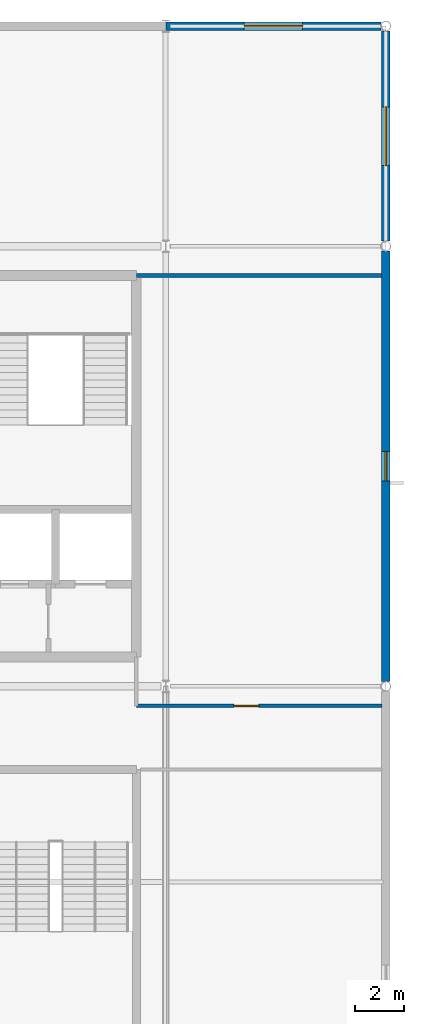
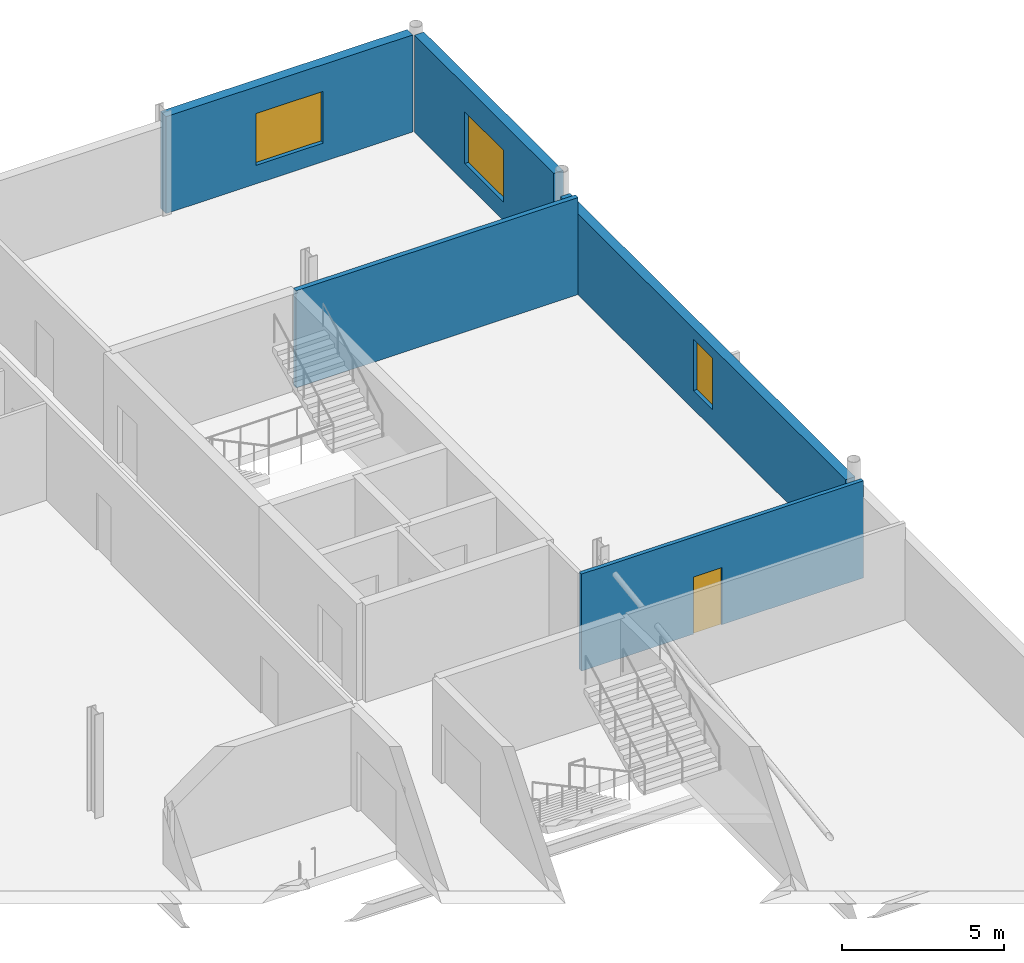
# One storey, part 63 of 96: 5 walls, 3 windows, 1 door, 4 openings.
"""IFC4 building model written with IfcOpenShell, lengths in metres."""

import ifcopenshell
import ifcopenshell.guid

model = None  # the IFC model being written
_history = None  # IfcOwnerHistory: only IFC2X3 demands one
_inside = {}  # id of a spatial element -> (the spatial element, [elements in it])
_under = {}  # id of a project, library or spatial element -> (it, [spatial elements below it])
_declared = {}  # id of a project -> (the project, [libraries it declares])
_typed = {}  # id of a type object -> (the type object, [elements of that type])
_made_of = {}  # id of a material, layer set ... -> (it, [elements and type objects made of it])


def new_model(schema):
    """Start an empty IFC model of exactly this schema.

    Asked for "IFC4X3", IfcOpenShell would pick the latest addendum, in which some entities
    have other attributes; the version numbers below select the first issue.
    IFC2X3 requires an IfcOwnerHistory on every rooted entity: one is made here for all.
    """
    global model, _history
    if schema == "IFC4X3":
        model = ifcopenshell.file(schema_version=(4, 3, 0, 0))
    else:
        model = ifcopenshell.file(schema=schema)
    _inside.clear()
    _under.clear()
    _declared.clear()
    _typed.clear()
    _made_of.clear()
    _history = None
    if model.schema == "IFC2X3":
        org = make("IfcOrganization", Name="unknown")
        user = make(
            "IfcPersonAndOrganization",
            ThePerson=make("IfcPerson", FamilyName="unknown"),
            TheOrganization=org,
        )
        app = make(
            "IfcApplication",
            ApplicationDeveloper=org,
            Version="unknown",
            ApplicationFullName="unknown",
            ApplicationIdentifier="unknown",
        )
        _history = make(
            "IfcOwnerHistory",
            OwningUser=user,
            OwningApplication=app,
            ChangeAction="ADDED",
            CreationDate=0,
        )
    return model


def make(cls, **values):
    """One entity of the class cls with the attributes given. An attribute that is None is left unset."""
    return model.create_entity(
        cls, **{name: value for name, value in values.items() if value is not None}
    )


def rooted(cls, **values):
    """An entity with a GlobalId (a new one), such as an element, a storey or a relation."""
    return make(cls, GlobalId=ifcopenshell.guid.new(), OwnerHistory=_history, **values)


def si_unit(unit_type, name, prefix=None):
    """IfcSIUnit, for example si_unit("LENGTHUNIT", "METRE", prefix="MILLI")."""
    return make("IfcSIUnit", UnitType=unit_type, Prefix=prefix, Name=name)


def assignment(units):
    """IfcUnitAssignment: the units of a project."""
    return None if units is None else make("IfcUnitAssignment", Units=units)


def point(xyz):
    """IfcCartesianPoint."""
    return None if xyz is None else make("IfcCartesianPoint", Coordinates=xyz)


def direction(xyz):
    """IfcDirection."""
    return None if xyz is None else make("IfcDirection", DirectionRatios=xyz)


def frame(location, z_axis=None, x_axis=None):
    """IfcAxis2Placement3D, a coordinate frame: its origin and axes. An axis left out is left unset."""
    return make(
        "IfcAxis2Placement3D",
        Location=point(location),
        Axis=direction(z_axis),
        RefDirection=direction(x_axis),
    )


def frame_2d(location, x_axis=None):
    """IfcAxis2Placement2D, a coordinate frame in the plane: its origin and x axis."""
    return make(
        "IfcAxis2Placement2D", Location=point(location), RefDirection=direction(x_axis)
    )


def origin():
    """The frame at (0, 0, 0) with its axes left unset."""
    return frame((0.0, 0.0, 0.0))


def place(relative_to, where):
    """IfcLocalPlacement: puts the frame where relative to a parent placement (None: the world)."""
    return make(
        "IfcLocalPlacement", PlacementRelTo=relative_to, RelativePlacement=where
    )


def context(
    kind, dimensions, precision=None, world=None, true_north=None, identifier=None
):
    """IfcGeometricRepresentationContext, for example the 3D "Model" context."""
    return make(
        "IfcGeometricRepresentationContext",
        ContextIdentifier=identifier,
        ContextType=kind,
        CoordinateSpaceDimension=dimensions,
        Precision=precision,
        WorldCoordinateSystem=world,
        TrueNorth=true_north,
    )


def subcontext(parent, identifier, kind, view, scale=None):
    """IfcGeometricRepresentationSubContext, for example "Body" below "Model"."""
    return make(
        "IfcGeometricRepresentationSubContext",
        ContextIdentifier=identifier,
        ContextType=kind,
        ParentContext=parent,
        TargetScale=scale,
        TargetView=view,
    )


def project(units=None, contexts=None):
    """IfcProject with its units and contexts."""
    return rooted(
        "IfcProject",
        Name="project",
        RepresentationContexts=contexts,
        UnitsInContext=assignment(units),
    )


def spatial(cls, under=None, at=None, **own):
    """A site, building, storey or space (cls), placed at a placement, below another one or the project."""
    s = rooted(cls, ObjectPlacement=at, **own)
    if under is not None:
        _under.setdefault(under.id(), (under, []))[1].append(s)
    return s


def profile(cls, at=None, kind="AREA", **sizes):
    """A parametric profile (cls). Its sizes go by their IFC names, for example OverallWidth=200.0."""
    return make(cls, ProfileType=kind, Position=at, **sizes)


def rectangle(**sizes):
    """IfcRectangleProfileDef."""
    return profile("IfcRectangleProfileDef", **sizes)


def extrude(swept, where, along, depth):
    """IfcExtrudedAreaSolid: the profile swept, set in the frame where, extruded along a direction by depth."""
    return make(
        "IfcExtrudedAreaSolid",
        SweptArea=swept,
        Position=where,
        ExtrudedDirection=direction(along),
        Depth=depth,
    )


def shape(context_of_items, identifier, shape_type, items):
    """IfcShapeRepresentation: the items that make up one representation, for example the "Body"."""
    return make(
        "IfcShapeRepresentation",
        ContextOfItems=context_of_items,
        RepresentationIdentifier=identifier,
        RepresentationType=shape_type,
        Items=items,
    )


def material(Name=None, Category=None):
    """IfcMaterial."""
    return make("IfcMaterial", Name=Name, Category=Category)


def layer(
    of_material, thickness, ventilated=None, Name=None, Category=None, Priority=None
):
    """IfcMaterialLayer: one layer of a wall or slab, of a material (None: an air gap)."""
    return make(
        "IfcMaterialLayer",
        Material=of_material,
        LayerThickness=thickness,
        IsVentilated=ventilated,
        Name=Name,
        Category=Category,
        Priority=Priority,
    )


def layer_set(layers, Name=None):
    """IfcMaterialLayerSet."""
    return make("IfcMaterialLayerSet", MaterialLayers=layers, LayerSetName=Name)


def made_of(thing, what):
    """Note that an element or type object is made of a material, layer set ...; save() writes the relation."""
    if what is not None:
        _made_of.setdefault(what.id(), (what, []))[1].append(thing)
    return thing


def type_object(cls, material=None, **own):
    """A type object (cls), such as IfcWallType, which elements share."""
    return made_of(rooted(cls, **own), material)


def element(
    cls,
    number,
    at=None,
    inside=None,
    cuts=None,
    type_object=None,
    material=None,
    context=None,
    identifier="Body",
    shape_type=None,
    held_by="IfcProductDefinitionShape",
    body=None,
    shapes=None,
    **own,
):
    """One element of the class cls, such as IfcWall. Its Tag is "e" and its number.

    at: its placement. inside: the storey or other place that contains it. cuts: it is an
    opening in that element (IfcRelVoidsElement). A single representation is given by context,
    identifier, shape_type and body (its items); several are given by shapes. held_by: the class
    of the entity that holds the representations. save() writes the other relations.
    """
    e = rooted(cls, Tag="e%d" % number, ObjectPlacement=at, **own)
    if body is not None:
        shapes = [shape(context, identifier, shape_type, body)]
    if shapes is not None:
        e.Representation = make(held_by, Representations=shapes)
    if inside is not None:
        _inside.setdefault(inside.id(), (inside, []))[1].append(e)
    if cuts is not None:
        rooted(
            "IfcRelVoidsElement", RelatingBuildingElement=cuts, RelatedOpeningElement=e
        )
    if type_object is not None:
        _typed.setdefault(type_object.id(), (type_object, []))[1].append(e)
    return made_of(e, material)


def fill(opening, filler):
    """IfcRelFillsElement: the door or window that sits in an opening."""
    return rooted(
        "IfcRelFillsElement",
        RelatingOpeningElement=opening,
        RelatedBuildingElement=filler,
    )


def aggregate(whole, parts):
    """IfcRelAggregates: a whole, such as a stair, and the parts it consists of."""
    return rooted("IfcRelAggregates", RelatingObject=whole, RelatedObjects=parts)


def save(model, path):
    """Write the relations noted so far, then the file.

    IfcRelAggregates (storeys below a building ...), IfcRelContainedInSpatialStructure (elements
    in a storey), IfcRelDefinesByType, IfcRelAssociatesMaterial and IfcRelDeclares: one each for
    every whole, place, type object, material and project.
    """
    for whole, parts in _under.values():
        aggregate(whole, parts)
    for where, things in _inside.values():
        rooted(
            "IfcRelContainedInSpatialStructure",
            RelatedElements=things,
            RelatingStructure=where,
        )
    for kind, things in _typed.values():
        rooted("IfcRelDefinesByType", RelatedObjects=things, RelatingType=kind)
    for what, things in _made_of.values():
        rooted("IfcRelAssociatesMaterial", RelatedObjects=things, RelatingMaterial=what)
    for by, libraries in _declared.values():
        rooted("IfcRelDeclares", RelatingContext=by, RelatedDefinitions=libraries)
    model.write(path)


model = new_model("IFC4")

# Units and contexts
model_context = context("Model", 3, precision=1e-05, world=origin(), true_north=direction((0.0, 1.0)))
body_context = subcontext(model_context, "Body", "Model", "MODEL_VIEW")
ifc_project = project(units=[si_unit("LENGTHUNIT", "METRE"), si_unit("AREAUNIT", "SQUARE_METRE"), si_unit("VOLUMEUNIT", "CUBIC_METRE"), si_unit("PLANEANGLEUNIT", "RADIAN"), si_unit("MASSUNIT", "GRAM", prefix="KILO")], contexts=[model_context])

# Site, building, storey
site_placement = place(None, origin())
site = spatial("IfcSite", under=ifc_project, at=site_placement, CompositionType="ELEMENT")
building_placement = place(site_placement, origin())
building = spatial("IfcBuilding", under=site, at=building_placement, Name="Kisiwana Market Hall", CompositionType="ELEMENT")
storey_placement = place(building_placement, frame((0.0, 0.0, 25.5)))
storey = spatial("IfcBuildingStorey", under=building, at=storey_placement, Name="L05", CompositionType="ELEMENT", Elevation=25.5)

# Wall
ifc_material_1 = material(Name="Masonry blockwork", Category="masonry")
ifc_layer_1 = layer(ifc_material_1, 0.169921875, Name="Protected corridor partition")
ifc_layer_set_1 = layer_set([ifc_layer_1], Name="WL-CORR-170")
wall_type_1 = type_object("IfcWallType", Name="WL-CORR-170", PredefinedType="PARTITIONING", material=ifc_layer_set_1)
wall_1_placement = place(storey_placement, frame((187.800048828125, 100.800048828125, 0.0), z_axis=(0.0, 0.0, 1.0), x_axis=(1.0, 0.0, 0.0)))
element("IfcWall", 1, at=wall_1_placement, inside=storey, type_object=wall_type_1, Name="Interior partition W-1865", PredefinedType="PARTITIONING", context=body_context, shape_type="SweptSolid", body=[
    extrude(rectangle(XDim=10.04248046875, YDim=0.169921875, at=frame_2d((5.021240234375, 0.0))), origin(), (0.0, 0.0, 1.0), 3.655029296875),
])

# Wall, opening, window
ifc_material_2 = material(Name="Concrete C40/50 precast", Category="concrete")
ifc_layer_2 = layer(ifc_material_2, 0.14990234375, Name="Precast architectural concrete spandrel")
ifc_material_3 = material(Name="Mineral wool insulation")
ifc_layer_3 = layer(ifc_material_3, 0.090087890625, Name="Rockwool thermal insulation")
ifc_material_4 = material(Name="Masonry blockwork", Category="masonry")
ifc_layer_4 = layer(ifc_material_4, 0.10009765625, Name="Inner masonry block leaf")
ifc_layer_set_2 = layer_set([ifc_layer_2, ifc_layer_3, ifc_layer_4], Name="WL-EXT-PREC-340")
wall_type_2 = type_object("IfcWallType", Name="WL-EXT-PREC-340", PredefinedType="STANDARD", material=ifc_layer_set_2)
wall_2_placement = place(storey_placement, frame((189.010009765625, 111.0, 0.0), z_axis=(0.0, 0.0, 1.0), x_axis=(1.0, 0.0, 0.0)))
wall_2 = element("IfcWall", 2, at=wall_2_placement, inside=storey, type_object=wall_type_2, Name="Exterior wall W-1811", PredefinedType="STANDARD", context=body_context, shape_type="SweptSolid", body=[
    extrude(rectangle(XDim=8.784912109375, YDim=0.340087890625, at=frame_2d((4.392578125, 0.0))), origin(), (0.0, 0.0, 1.0), 3.655029296875),
])
opening_1_placement = place(wall_2_placement, frame((3.1923828125, 0.0, 0.699951171875)))
opening_1 = element("IfcOpeningElement", 3, at=opening_1_placement, cuts=wall_2, Name="Opening WN-27", PredefinedType="OPENING", context=body_context, shape_type="SweptSolid", body=[
    extrude(rectangle(XDim=2.39990234375, YDim=1.949951171875, at=frame_2d((1.199951171875, 0.97509765625))), frame((0.0, 0.18212890625, 0.0), z_axis=(0.0, -1.0, 0.0), x_axis=(1.0, 0.0, 0.0)), (0.0, 0.0, 1.0), 0.364013671875),
])
ifc_material_5 = material(Name="Double-glazed solar-control low-E IGU", Category="glass")
window_type_1 = type_object("IfcWindowType", Name="WN-OFFA-2400x1950", PartitioningType="SINGLE_PANEL", PredefinedType="WINDOW", material=ifc_material_5)
window_1_placement = place(opening_1_placement, origin())
window_1 = element("IfcWindow", 4, at=window_1_placement, inside=storey, type_object=window_type_1, Name="Exterior window WN-184", OverallHeight=1.949951171875, OverallWidth=2.39990234375, PartitioningType="SINGLE_PANEL", PredefinedType="WINDOW", context=body_context, shape_type="SweptSolid", body=[
    extrude(rectangle(XDim=2.39990234375, YDim=1.949951171875, at=frame_2d((1.199951171875, 0.97509765625))), frame((0.0, 0.030029296875, 0.0), z_axis=(0.0, -1.0, 0.0), x_axis=(1.0, 0.0, 0.0)), (0.0, 0.0, 1.0), 0.06005859375),
])
fill(opening_1, window_1)

wall_3_placement = place(storey_placement, frame((198.0, 84.205078125, 0.0), z_axis=(0.0, 0.0, 1.0), x_axis=(0.0, 1.0, 0.0)))
wall_3 = element("IfcWall", 5, at=wall_3_placement, inside=storey, type_object=wall_type_2, Name="Exterior wall W-1824", PredefinedType="STANDARD", context=body_context, shape_type="SweptSolid", body=[
    extrude(rectangle(XDim=17.58984375, YDim=0.340087890625, at=frame_2d((8.794921875, 0.0))), origin(), (0.0, 0.0, 1.0), 3.042724609375),
])
opening_2_placement = place(wall_3_placement, frame((8.19482421875, 0.0, 0.699951171875)))
opening_2 = element("IfcOpeningElement", 6, at=opening_2_placement, cuts=wall_3, Name="Opening WN-15", PredefinedType="OPENING", context=body_context, shape_type="SweptSolid", body=[
    extrude(rectangle(XDim=1.199951171875, YDim=1.949951171875, at=frame_2d((0.60009765625, 0.97509765625))), frame((0.0, 0.18212890625, 0.0), z_axis=(0.0, -1.0, 0.0), x_axis=(1.0, 0.0, 0.0)), (0.0, 0.0, 1.0), 0.364013671875),
])
ifc_material_6 = material(Name="Double-glazed solar-control low-E IGU", Category="glass")
window_type_2 = type_object("IfcWindowType", Name="WN-OFFA-1200x1950", PartitioningType="SINGLE_PANEL", PredefinedType="WINDOW", material=ifc_material_6)
window_2_placement = place(opening_2_placement, origin())
window_2 = element("IfcWindow", 7, at=window_2_placement, inside=storey, type_object=window_type_2, Name="Exterior window WN-178", OverallHeight=1.949951171875, OverallWidth=1.199951171875, PartitioningType="SINGLE_PANEL", PredefinedType="WINDOW", context=body_context, shape_type="SweptSolid", body=[
    extrude(rectangle(XDim=1.199951171875, YDim=1.949951171875, at=frame_2d((0.60009765625, 0.97509765625))), frame((0.0, 0.030029296875, 0.0), z_axis=(0.0, -1.0, 0.0), x_axis=(1.0, 0.0, 0.0)), (0.0, 0.0, 1.0), 0.06005859375),
])
fill(opening_2, window_2)

wall_4_placement = place(storey_placement, frame((198.0, 102.205078125, 0.0), z_axis=(0.0, 0.0, 1.0), x_axis=(0.0, 1.0, 0.0)))
wall_4 = element("IfcWall", 8, at=wall_4_placement, inside=storey, type_object=wall_type_2, Name="Exterior wall W-1825", PredefinedType="STANDARD", context=body_context, shape_type="SweptSolid", body=[
    extrude(rectangle(XDim=8.58984375, YDim=0.340087890625, at=frame_2d((4.294921875, 0.0))), origin(), (0.0, 0.0, 1.0), 3.655029296875),
])
opening_3_placement = place(wall_4_placement, frame((3.0947265625, 0.0, 0.699951171875)))
opening_3 = element("IfcOpeningElement", 9, at=opening_3_placement, cuts=wall_4, Name="Opening WN-27", PredefinedType="OPENING", context=body_context, shape_type="SweptSolid", body=[
    extrude(rectangle(XDim=2.39990234375, YDim=1.949951171875, at=frame_2d((1.199951171875, 0.97509765625))), frame((0.0, 0.18212890625, 0.0), z_axis=(0.0, -1.0, 0.0), x_axis=(1.0, 0.0, 0.0)), (0.0, 0.0, 1.0), 0.364013671875),
])
window_3_placement = place(opening_3_placement, origin())
window_3 = element("IfcWindow", 10, at=window_3_placement, inside=storey, type_object=window_type_1, Name="Exterior window WN-186", OverallHeight=1.949951171875, OverallWidth=2.39990234375, PartitioningType="SINGLE_PANEL", PredefinedType="WINDOW", context=body_context, shape_type="SweptSolid", body=[
    extrude(rectangle(XDim=2.39990234375, YDim=1.949951171875, at=frame_2d((1.199951171875, 0.97509765625))), frame((0.0, 0.030029296875, 0.0), z_axis=(0.0, -1.0, 0.0), x_axis=(1.0, 0.0, 0.0)), (0.0, 0.0, 1.0), 0.06005859375),
])
fill(opening_3, window_3)

# Wall, opening, door
ifc_material_7 = material(Name="Masonry blockwork", Category="masonry")
ifc_layer_5 = layer(ifc_material_7, 0.139892578125)
ifc_layer_set_3 = layer_set([ifc_layer_5], Name="WL-PART-140")
wall_type_3 = type_object("IfcWallType", Name="WL-PART-140", PredefinedType="PARTITIONING", material=ifc_layer_set_3)
wall_5_placement = place(storey_placement, frame((187.800048828125, 83.199951171875, 0.0), z_axis=(0.0, 0.0, 1.0), x_axis=(1.0, 0.0, 0.0)))
wall_5 = element("IfcWall", 11, at=wall_5_placement, inside=storey, type_object=wall_type_3, Name="Interior partition W-1869", PredefinedType="PARTITIONING", context=body_context, shape_type="SweptSolid", body=[
    extrude(rectangle(XDim=10.04248046875, YDim=0.139892578125, at=frame_2d((5.021240234375, 0.0))), origin(), (0.0, 0.0, 1.0), 3.655029296875),
])
opening_4_placement = place(wall_5_placement, frame((4.0, 0.0, 0.0)))
opening_4 = element("IfcOpeningElement", 12, at=opening_4_placement, cuts=wall_5, Name="Opening DR-L05-051", PredefinedType="OPENING", context=body_context, shape_type="SweptSolid", body=[
    extrude(rectangle(XDim=1.0, YDim=2.14990234375, at=frame_2d((0.5, 1.074951171875))), frame((0.0, 0.08203125, 0.0), z_axis=(0.0, -1.0, 0.0), x_axis=(1.0, 0.0, 0.0)), (0.0, 0.0, 1.0), 0.163818359375),
])
ifc_material_8 = material(Name="Aluminium alloy 6063-T6", Category="aluminium")
door_type = type_object("IfcDoorType", Name="DR-OFF-1000", OperationType="NOTDEFINED", PredefinedType="DOOR", material=ifc_material_8)
door_placement = place(opening_4_placement, origin())
door = element("IfcDoor", 13, at=door_placement, inside=storey, type_object=door_type, Name="L05 E Commercial Office North Door", OperationType="SINGLE_SWING_LEFT", OverallHeight=2.14990234375, OverallWidth=1.0, PredefinedType="DOOR", context=body_context, shape_type="SweptSolid", body=[
    extrude(rectangle(XDim=1.0, YDim=2.14990234375, at=frame_2d((0.5, 1.074951171875))), frame((0.0, 0.02490234375, 0.0), z_axis=(0.0, -1.0, 0.0), x_axis=(1.0, 0.0, 0.0)), (0.0, 0.0, 1.0), 0.050048828125),
])
fill(opening_4, door)

save(model, "model.ifc")
